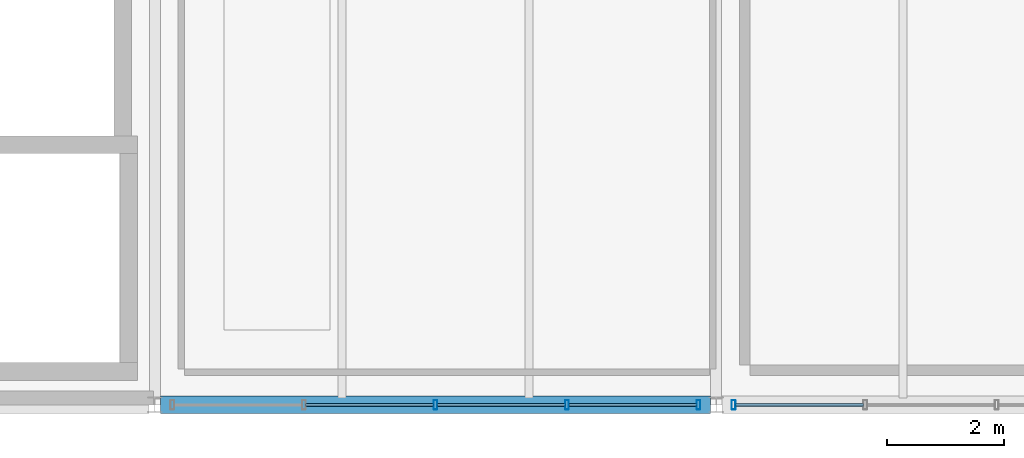
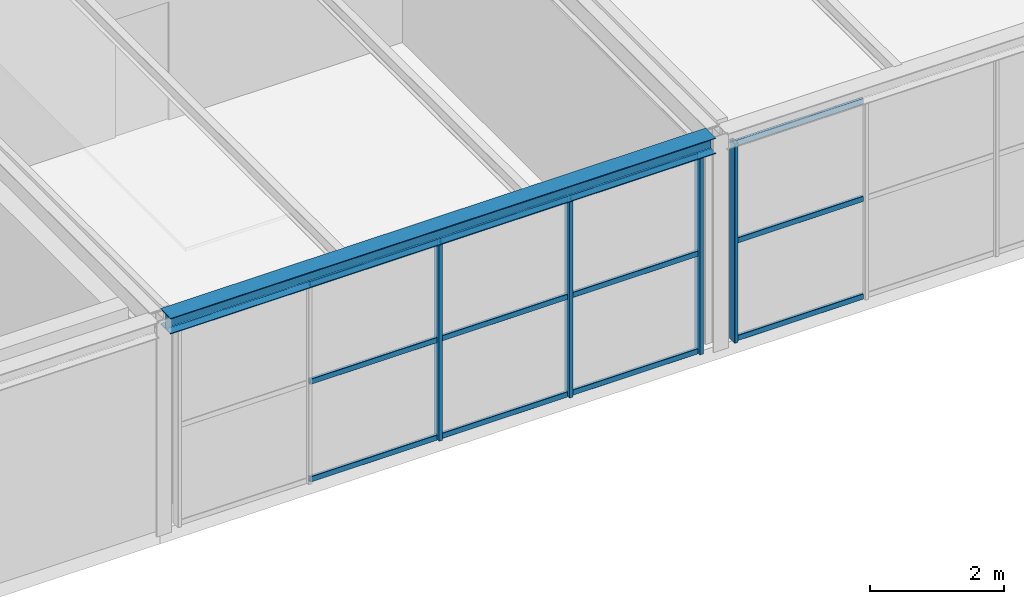
# One storey, part 18 of 33: 16 members, 1 beam, 2 elements without a shape of their own.
"""IFC4 building model written with IfcOpenShell, lengths in metres."""

import ifcopenshell
import ifcopenshell.guid

model = None  # the IFC model being written
_history = None  # IfcOwnerHistory: only IFC2X3 demands one
_inside = {}  # id of a spatial element -> (the spatial element, [elements in it])
_under = {}  # id of a project, library or spatial element -> (it, [spatial elements below it])
_declared = {}  # id of a project -> (the project, [libraries it declares])
_typed = {}  # id of a type object -> (the type object, [elements of that type])
_made_of = {}  # id of a material, layer set ... -> (it, [elements and type objects made of it])


def new_model(schema):
    """Start an empty IFC model of exactly this schema.

    Asked for "IFC4X3", IfcOpenShell would pick the latest addendum, in which some entities
    have other attributes; the version numbers below select the first issue.
    IFC2X3 requires an IfcOwnerHistory on every rooted entity: one is made here for all.
    """
    global model, _history
    if schema == "IFC4X3":
        model = ifcopenshell.file(schema_version=(4, 3, 0, 0))
    else:
        model = ifcopenshell.file(schema=schema)
    _inside.clear()
    _under.clear()
    _declared.clear()
    _typed.clear()
    _made_of.clear()
    _history = None
    if model.schema == "IFC2X3":
        org = make("IfcOrganization", Name="unknown")
        user = make(
            "IfcPersonAndOrganization",
            ThePerson=make("IfcPerson", FamilyName="unknown"),
            TheOrganization=org,
        )
        app = make(
            "IfcApplication",
            ApplicationDeveloper=org,
            Version="unknown",
            ApplicationFullName="unknown",
            ApplicationIdentifier="unknown",
        )
        _history = make(
            "IfcOwnerHistory",
            OwningUser=user,
            OwningApplication=app,
            ChangeAction="ADDED",
            CreationDate=0,
        )
    return model


def make(cls, **values):
    """One entity of the class cls with the attributes given. An attribute that is None is left unset."""
    return model.create_entity(
        cls, **{name: value for name, value in values.items() if value is not None}
    )


def rooted(cls, **values):
    """An entity with a GlobalId (a new one), such as an element, a storey or a relation."""
    return make(cls, GlobalId=ifcopenshell.guid.new(), OwnerHistory=_history, **values)


def si_unit(unit_type, name, prefix=None):
    """IfcSIUnit, for example si_unit("LENGTHUNIT", "METRE", prefix="MILLI")."""
    return make("IfcSIUnit", UnitType=unit_type, Prefix=prefix, Name=name)


def assignment(units):
    """IfcUnitAssignment: the units of a project."""
    return None if units is None else make("IfcUnitAssignment", Units=units)


def point(xyz):
    """IfcCartesianPoint."""
    return None if xyz is None else make("IfcCartesianPoint", Coordinates=xyz)


def direction(xyz):
    """IfcDirection."""
    return None if xyz is None else make("IfcDirection", DirectionRatios=xyz)


def frame(location, z_axis=None, x_axis=None):
    """IfcAxis2Placement3D, a coordinate frame: its origin and axes. An axis left out is left unset."""
    return make(
        "IfcAxis2Placement3D",
        Location=point(location),
        Axis=direction(z_axis),
        RefDirection=direction(x_axis),
    )


def frame_2d(location, x_axis=None):
    """IfcAxis2Placement2D, a coordinate frame in the plane: its origin and x axis."""
    return make(
        "IfcAxis2Placement2D", Location=point(location), RefDirection=direction(x_axis)
    )


def origin():
    """The frame at (0, 0, 0) with its axes left unset."""
    return frame((0.0, 0.0, 0.0))


def origin_2d():
    """The frame at (0, 0) in the plane with its x axis left unset."""
    return frame_2d((0.0, 0.0))


def place(relative_to, where):
    """IfcLocalPlacement: puts the frame where relative to a parent placement (None: the world)."""
    return make(
        "IfcLocalPlacement", PlacementRelTo=relative_to, RelativePlacement=where
    )


def context(
    kind, dimensions, precision=None, world=None, true_north=None, identifier=None
):
    """IfcGeometricRepresentationContext, for example the 3D "Model" context."""
    return make(
        "IfcGeometricRepresentationContext",
        ContextIdentifier=identifier,
        ContextType=kind,
        CoordinateSpaceDimension=dimensions,
        Precision=precision,
        WorldCoordinateSystem=world,
        TrueNorth=true_north,
    )


def subcontext(parent, identifier, kind, view, scale=None):
    """IfcGeometricRepresentationSubContext, for example "Body" below "Model"."""
    return make(
        "IfcGeometricRepresentationSubContext",
        ContextIdentifier=identifier,
        ContextType=kind,
        ParentContext=parent,
        TargetScale=scale,
        TargetView=view,
    )


def project(units=None, contexts=None):
    """IfcProject with its units and contexts."""
    return rooted(
        "IfcProject",
        Name="project",
        RepresentationContexts=contexts,
        UnitsInContext=assignment(units),
    )


def spatial(cls, under=None, at=None, **own):
    """A site, building, storey or space (cls), placed at a placement, below another one or the project."""
    s = rooted(cls, ObjectPlacement=at, **own)
    if under is not None:
        _under.setdefault(under.id(), (under, []))[1].append(s)
    return s


def profile(cls, at=None, kind="AREA", **sizes):
    """A parametric profile (cls). Its sizes go by their IFC names, for example OverallWidth=200.0."""
    return make(cls, ProfileType=kind, Position=at, **sizes)


def hollow_rectangle(**sizes):
    """IfcRectangleHollowProfileDef."""
    return profile("IfcRectangleHollowProfileDef", **sizes)


def i_section(**sizes):
    """IfcIShapeProfileDef."""
    return profile("IfcIShapeProfileDef", **sizes)


def extrude(swept, where, along, depth):
    """IfcExtrudedAreaSolid: the profile swept, set in the frame where, extruded along a direction by depth."""
    return make(
        "IfcExtrudedAreaSolid",
        SweptArea=swept,
        Position=where,
        ExtrudedDirection=direction(along),
        Depth=depth,
    )


def shape(context_of_items, identifier, shape_type, items):
    """IfcShapeRepresentation: the items that make up one representation, for example the "Body"."""
    return make(
        "IfcShapeRepresentation",
        ContextOfItems=context_of_items,
        RepresentationIdentifier=identifier,
        RepresentationType=shape_type,
        Items=items,
    )


def material(Name=None, Category=None):
    """IfcMaterial."""
    return make("IfcMaterial", Name=Name, Category=Category)


def material_profile(
    of_material, cross_section, Name=None, Category=None, Priority=None
):
    """IfcMaterialProfile: a cross section and its material."""
    return make(
        "IfcMaterialProfile",
        Name=Name,
        Material=of_material,
        Profile=cross_section,
        Priority=Priority,
        Category=Category,
    )


def profile_set(profiles, Name=None, composite=None):
    """IfcMaterialProfileSet."""
    return make(
        "IfcMaterialProfileSet",
        Name=Name,
        MaterialProfiles=profiles,
        CompositeProfile=composite,
    )


def made_of(thing, what):
    """Note that an element or type object is made of a material, layer set ...; save() writes the relation."""
    if what is not None:
        _made_of.setdefault(what.id(), (what, []))[1].append(thing)
    return thing


def type_object(cls, material=None, **own):
    """A type object (cls), such as IfcWallType, which elements share."""
    return made_of(rooted(cls, **own), material)


def element(
    cls,
    number,
    at=None,
    inside=None,
    cuts=None,
    type_object=None,
    material=None,
    context=None,
    identifier="Body",
    shape_type=None,
    held_by="IfcProductDefinitionShape",
    body=None,
    shapes=None,
    **own,
):
    """One element of the class cls, such as IfcWall. Its Tag is "e" and its number.

    at: its placement. inside: the storey or other place that contains it. cuts: it is an
    opening in that element (IfcRelVoidsElement). A single representation is given by context,
    identifier, shape_type and body (its items); several are given by shapes. held_by: the class
    of the entity that holds the representations. save() writes the other relations.
    """
    e = rooted(cls, Tag="e%d" % number, ObjectPlacement=at, **own)
    if body is not None:
        shapes = [shape(context, identifier, shape_type, body)]
    if shapes is not None:
        e.Representation = make(held_by, Representations=shapes)
    if inside is not None:
        _inside.setdefault(inside.id(), (inside, []))[1].append(e)
    if cuts is not None:
        rooted(
            "IfcRelVoidsElement", RelatingBuildingElement=cuts, RelatedOpeningElement=e
        )
    if type_object is not None:
        _typed.setdefault(type_object.id(), (type_object, []))[1].append(e)
    return made_of(e, material)


def aggregate(whole, parts):
    """IfcRelAggregates: a whole, such as a stair, and the parts it consists of."""
    return rooted("IfcRelAggregates", RelatingObject=whole, RelatedObjects=parts)


def save(model, path):
    """Write the relations noted so far, then the file.

    IfcRelAggregates (storeys below a building ...), IfcRelContainedInSpatialStructure (elements
    in a storey), IfcRelDefinesByType, IfcRelAssociatesMaterial and IfcRelDeclares: one each for
    every whole, place, type object, material and project.
    """
    for whole, parts in _under.values():
        aggregate(whole, parts)
    for where, things in _inside.values():
        rooted(
            "IfcRelContainedInSpatialStructure",
            RelatedElements=things,
            RelatingStructure=where,
        )
    for kind, things in _typed.values():
        rooted("IfcRelDefinesByType", RelatedObjects=things, RelatingType=kind)
    for what, things in _made_of.values():
        rooted("IfcRelAssociatesMaterial", RelatedObjects=things, RelatingMaterial=what)
    for by, libraries in _declared.values():
        rooted("IfcRelDeclares", RelatingContext=by, RelatedDefinitions=libraries)
    model.write(path)


model = new_model("IFC4")

# Units and contexts
model_context = context("Model", 3, precision=1e-05, world=origin(), true_north=direction((0.0, 1.0)))
body_context = subcontext(model_context, "Body", "Model", "MODEL_VIEW")
ifc_project = project(units=[si_unit("LENGTHUNIT", "METRE"), si_unit("AREAUNIT", "SQUARE_METRE"), si_unit("VOLUMEUNIT", "CUBIC_METRE"), si_unit("PLANEANGLEUNIT", "RADIAN"), si_unit("MASSUNIT", "GRAM", prefix="KILO")], contexts=[model_context])

# Site, building, storey
site_placement = place(None, origin())
site = spatial("IfcSite", under=ifc_project, at=site_placement, CompositionType="ELEMENT")
building_placement = place(site_placement, origin())
building = spatial("IfcBuilding", under=site, at=building_placement, Name="Coralgate Yard Interchange", CompositionType="ELEMENT")
storey_placement = place(building_placement, frame((0.0, 0.0, 23.10009765625)))
storey = spatial("IfcBuildingStorey", under=building, at=storey_placement, Name="L05", CompositionType="ELEMENT", Elevation=23.10009765625)

# Beam
ifc_material_1 = material(Name="Structural steel S355J2", Category="steel")
ifc_material_profile_1 = material_profile(ifc_material_1, i_section(OverallWidth=0.300048828125, OverallDepth=0.2900390625, WebThickness=0.008544921875, FlangeThickness=0.013916015625, FilletRadius=0.027099609375, at=origin_2d()), Name="HEA 300")
ifc_profile_set_1 = profile_set([ifc_material_profile_1], Name="Structural steel S355J2")
beam_type = type_object("IfcBeamType", Name="BM-SP-2", PredefinedType="SPANDREL", material=ifc_profile_set_1)
beam_placement = place(storey_placement, frame((28.898193359375, 0.0, 3.77490234375), z_axis=(1.0, 0.0, 0.0), x_axis=(0.0, 1.0, 0.0)))
element("IfcBeam", 1, at=beam_placement, inside=storey, type_object=beam_type, Name="L05 primary grid beam Y0 X3-4", PredefinedType="SPANDREL", context=body_context, shape_type="SweptSolid", body=[
    extrude(i_section(OverallWidth=0.300048828125, OverallDepth=0.2900390625, WebThickness=0.008544921875, FlangeThickness=0.013916015625, FilletRadius=0.027099609375, at=origin_2d()), origin(), (0.0, 0.0, 1.0), 9.40380859375),
])

# Curtain wall, members
ifc_material_2 = material(Name="Anodised coastal aluminium and solar-control low-E glass", Category="aluminium")
curtain_wall_type = type_object("IfcCurtainWallType", Name="CW-CW-L05-A", PredefinedType="NOTDEFINED", material=ifc_material_2)
curtain_wall_1_placement = place(storey_placement, origin())
curtain_wall_1 = element("IfcCurtainWall", 2, at=curtain_wall_1_placement, inside=storey, type_object=curtain_wall_type, Name="L05 unitised curtain wall CW-L05-S-03-00", PredefinedType="NOTDEFINED")
ifc_material_3 = material(Name="Anodised coastal aluminium 6063-T6", Category="aluminium")
ifc_material_profile_2 = material_profile(ifc_material_3, hollow_rectangle(XDim=0.06494140625, YDim=0.159912109375, WallThickness=0.00390625, InnerFilletRadius=0.00390625, OuterFilletRadius=0.008056640625, at=origin_2d()), Name="ALU 65x160x4")
ifc_profile_set_2 = profile_set([ifc_material_profile_2], Name="Anodised coastal aluminium 6063-T6")
member_type_1 = type_object("IfcMemberType", Name="MB-MUL-160", PredefinedType="MULLION", material=ifc_profile_set_2)
member_1_placement = place(storey_placement, frame((38.10009765625, 0.0, 0.0), z_axis=(0.0, 0.0, 1.0), x_axis=(1.0, 0.0, 0.0)))
member_1 = element("IfcMember", 3, at=member_1_placement, type_object=member_type_1, Name="CW-L05-S-03-00 vertical mullion 1", PredefinedType="MULLION", context=body_context, shape_type="SweptSolid", body=[
    extrude(hollow_rectangle(XDim=0.06494140625, YDim=0.159912109375, WallThickness=0.00390625, InnerFilletRadius=0.00390625, OuterFilletRadius=0.008056640625, at=origin_2d()), origin(), (0.0, 0.0, 1.0), 3.6298828125),
])
member_2_placement = place(storey_placement, frame((35.85009765625, 0.0, 0.0), z_axis=(0.0, 0.0, 1.0), x_axis=(1.0, 0.0, 0.0)))
member_2 = element("IfcMember", 4, at=member_2_placement, type_object=member_type_1, Name="CW-L05-S-03-00 vertical mullion 2", PredefinedType="MULLION", context=body_context, shape_type="SweptSolid", body=[
    extrude(hollow_rectangle(XDim=0.06494140625, YDim=0.159912109375, WallThickness=0.00390625, InnerFilletRadius=0.00390625, OuterFilletRadius=0.008056640625, at=origin_2d()), origin(), (0.0, 0.0, 1.0), 3.6298828125),
])
member_3_placement = place(storey_placement, frame((33.60009765625, 0.0, 0.0), z_axis=(0.0, 0.0, 1.0), x_axis=(1.0, 0.0, 0.0)))
member_3 = element("IfcMember", 5, at=member_3_placement, type_object=member_type_1, Name="CW-L05-S-03-00 vertical mullion 3", PredefinedType="MULLION", context=body_context, shape_type="SweptSolid", body=[
    extrude(hollow_rectangle(XDim=0.06494140625, YDim=0.159912109375, WallThickness=0.00390625, InnerFilletRadius=0.00390625, OuterFilletRadius=0.008056640625, at=origin_2d()), origin(), (0.0, 0.0, 1.0), 3.6298828125),
])

# Curtain wall, member
curtain_wall_2_placement = place(storey_placement, origin())
curtain_wall_2 = element("IfcCurtainWall", 6, at=curtain_wall_2_placement, inside=storey, type_object=curtain_wall_type, Name="L05 unitised curtain wall CW-L05-S-04-00", PredefinedType="NOTDEFINED")
member_4_placement = place(storey_placement, frame((38.699951171875, 0.0, 0.0), z_axis=(0.0, 0.0, 1.0), x_axis=(1.0, 0.0, 0.0)))
member_4 = element("IfcMember", 7, at=member_4_placement, type_object=member_type_1, Name="CW-L05-S-04-00 vertical mullion 5", PredefinedType="MULLION", context=body_context, shape_type="SweptSolid", body=[
    extrude(hollow_rectangle(XDim=0.06494140625, YDim=0.159912109375, WallThickness=0.00390625, InnerFilletRadius=0.00390625, OuterFilletRadius=0.008056640625, at=origin_2d()), origin(), (0.0, 0.0, 1.0), 3.6298828125),
])

# Member
ifc_material_profile_3 = material_profile(ifc_material_3, hollow_rectangle(XDim=0.050048828125, YDim=0.10009765625, WallThickness=0.0029296875, InnerFilletRadius=0.0029296875, OuterFilletRadius=0.006103515625, at=origin_2d()), Name="ALU 50x100x3")
ifc_profile_set_3 = profile_set([ifc_material_profile_3], Name="Anodised coastal aluminium 6063-T6")
member_type_2 = type_object("IfcMemberType", Name="MB-TRN-100", PredefinedType="USERDEFINED", material=ifc_profile_set_3)
member_5_placement = place(storey_placement, frame((38.070068359375, 0.0, 0.034912109375), z_axis=(-1.0, 0.0, 0.0), x_axis=(0.0, -1.0, 0.0)))
member_5 = element("IfcMember", 8, at=member_5_placement, type_object=member_type_2, Name="CW-L05-S-03-00 horizontal transom 1-1", ObjectType="TRANSOM", PredefinedType="USERDEFINED", context=body_context, shape_type="SweptSolid", body=[
    extrude(hollow_rectangle(XDim=0.050048828125, YDim=0.10009765625, WallThickness=0.0029296875, InnerFilletRadius=0.0029296875, OuterFilletRadius=0.006103515625, at=origin_2d()), origin(), (0.0, 0.0, 1.0), 2.190185546875),
])

member_6_placement = place(storey_placement, frame((38.070068359375, 0.0, 1.81494140625), z_axis=(-1.0, 0.0, 0.0), x_axis=(0.0, -1.0, 0.0)))
member_6 = element("IfcMember", 9, at=member_6_placement, type_object=member_type_2, Name="CW-L05-S-03-00 horizontal transom 1-2", ObjectType="TRANSOM", PredefinedType="USERDEFINED", context=body_context, shape_type="SweptSolid", body=[
    extrude(hollow_rectangle(XDim=0.050048828125, YDim=0.10009765625, WallThickness=0.0029296875, InnerFilletRadius=0.0029296875, OuterFilletRadius=0.006103515625, at=origin_2d()), origin(), (0.0, 0.0, 1.0), 2.190185546875),
])

member_7_placement = place(storey_placement, frame((38.070068359375, 0.0, 3.594970703125), z_axis=(-1.0, 0.0, 0.0), x_axis=(0.0, -1.0, 0.0)))
member_7 = element("IfcMember", 10, at=member_7_placement, type_object=member_type_2, Name="CW-L05-S-03-00 horizontal transom 1-3", ObjectType="TRANSOM", PredefinedType="USERDEFINED", context=body_context, shape_type="SweptSolid", body=[
    extrude(hollow_rectangle(XDim=0.050048828125, YDim=0.10009765625, WallThickness=0.0029296875, InnerFilletRadius=0.0029296875, OuterFilletRadius=0.006103515625, at=origin_2d()), origin(), (0.0, 0.0, 1.0), 2.190185546875),
])

member_8_placement = place(storey_placement, frame((35.820068359375, 0.0, 0.034912109375), z_axis=(-1.0, 0.0, 0.0), x_axis=(0.0, -1.0, 0.0)))
member_8 = element("IfcMember", 11, at=member_8_placement, type_object=member_type_2, Name="CW-L05-S-03-00 horizontal transom 2-1", ObjectType="TRANSOM", PredefinedType="USERDEFINED", context=body_context, shape_type="SweptSolid", body=[
    extrude(hollow_rectangle(XDim=0.050048828125, YDim=0.10009765625, WallThickness=0.0029296875, InnerFilletRadius=0.0029296875, OuterFilletRadius=0.006103515625, at=origin_2d()), origin(), (0.0, 0.0, 1.0), 2.190185546875),
])

member_9_placement = place(storey_placement, frame((35.820068359375, 0.0, 1.81494140625), z_axis=(-1.0, 0.0, 0.0), x_axis=(0.0, -1.0, 0.0)))
member_9 = element("IfcMember", 12, at=member_9_placement, type_object=member_type_2, Name="CW-L05-S-03-00 horizontal transom 2-2", ObjectType="TRANSOM", PredefinedType="USERDEFINED", context=body_context, shape_type="SweptSolid", body=[
    extrude(hollow_rectangle(XDim=0.050048828125, YDim=0.10009765625, WallThickness=0.0029296875, InnerFilletRadius=0.0029296875, OuterFilletRadius=0.006103515625, at=origin_2d()), origin(), (0.0, 0.0, 1.0), 2.190185546875),
])

member_10_placement = place(storey_placement, frame((35.820068359375, 0.0, 3.594970703125), z_axis=(-1.0, 0.0, 0.0), x_axis=(0.0, -1.0, 0.0)))
member_10 = element("IfcMember", 13, at=member_10_placement, type_object=member_type_2, Name="CW-L05-S-03-00 horizontal transom 2-3", ObjectType="TRANSOM", PredefinedType="USERDEFINED", context=body_context, shape_type="SweptSolid", body=[
    extrude(hollow_rectangle(XDim=0.050048828125, YDim=0.10009765625, WallThickness=0.0029296875, InnerFilletRadius=0.0029296875, OuterFilletRadius=0.006103515625, at=origin_2d()), origin(), (0.0, 0.0, 1.0), 2.190185546875),
])

member_11_placement = place(storey_placement, frame((33.570068359375, 0.0, 0.034912109375), z_axis=(-1.0, 0.0, 0.0), x_axis=(0.0, -1.0, 0.0)))
member_11 = element("IfcMember", 14, at=member_11_placement, type_object=member_type_2, Name="CW-L05-S-03-00 horizontal transom 3-1", ObjectType="TRANSOM", PredefinedType="USERDEFINED", context=body_context, shape_type="SweptSolid", body=[
    extrude(hollow_rectangle(XDim=0.050048828125, YDim=0.10009765625, WallThickness=0.0029296875, InnerFilletRadius=0.0029296875, OuterFilletRadius=0.006103515625, at=origin_2d()), origin(), (0.0, 0.0, 1.0), 2.190185546875),
])

member_12_placement = place(storey_placement, frame((33.570068359375, 0.0, 1.81494140625), z_axis=(-1.0, 0.0, 0.0), x_axis=(0.0, -1.0, 0.0)))
member_12 = element("IfcMember", 15, at=member_12_placement, type_object=member_type_2, Name="CW-L05-S-03-00 horizontal transom 3-2", ObjectType="TRANSOM", PredefinedType="USERDEFINED", context=body_context, shape_type="SweptSolid", body=[
    extrude(hollow_rectangle(XDim=0.050048828125, YDim=0.10009765625, WallThickness=0.0029296875, InnerFilletRadius=0.0029296875, OuterFilletRadius=0.006103515625, at=origin_2d()), origin(), (0.0, 0.0, 1.0), 2.190185546875),
])

member_13_placement = place(storey_placement, frame((33.570068359375, 0.0, 3.594970703125), z_axis=(-1.0, 0.0, 0.0), x_axis=(0.0, -1.0, 0.0)))
member_13 = element("IfcMember", 16, at=member_13_placement, type_object=member_type_2, Name="CW-L05-S-03-00 horizontal transom 3-3", ObjectType="TRANSOM", PredefinedType="USERDEFINED", context=body_context, shape_type="SweptSolid", body=[
    extrude(hollow_rectangle(XDim=0.050048828125, YDim=0.10009765625, WallThickness=0.0029296875, InnerFilletRadius=0.0029296875, OuterFilletRadius=0.006103515625, at=origin_2d()), origin(), (0.0, 0.0, 1.0), 2.190185546875),
])

aggregate(curtain_wall_1, [member_1, member_2, member_3, member_5, member_6, member_7, member_8, member_9, member_10, member_11, member_12, member_13])

member_14_placement = place(storey_placement, frame((40.919921875, 0.0, 0.034912109375), z_axis=(-1.0, 0.0, 0.0), x_axis=(0.0, -1.0, 0.0)))
member_14 = element("IfcMember", 17, at=member_14_placement, type_object=member_type_2, Name="CW-L05-S-04-00 horizontal transom 4-1", ObjectType="TRANSOM", PredefinedType="USERDEFINED", context=body_context, shape_type="SweptSolid", body=[
    extrude(hollow_rectangle(XDim=0.050048828125, YDim=0.10009765625, WallThickness=0.0029296875, InnerFilletRadius=0.0029296875, OuterFilletRadius=0.006103515625, at=origin_2d()), origin(), (0.0, 0.0, 1.0), 2.18994140625),
])

member_15_placement = place(storey_placement, frame((40.919921875, 0.0, 1.81494140625), z_axis=(-1.0, 0.0, 0.0), x_axis=(0.0, -1.0, 0.0)))
member_15 = element("IfcMember", 18, at=member_15_placement, type_object=member_type_2, Name="CW-L05-S-04-00 horizontal transom 4-2", ObjectType="TRANSOM", PredefinedType="USERDEFINED", context=body_context, shape_type="SweptSolid", body=[
    extrude(hollow_rectangle(XDim=0.050048828125, YDim=0.10009765625, WallThickness=0.0029296875, InnerFilletRadius=0.0029296875, OuterFilletRadius=0.006103515625, at=origin_2d()), origin(), (0.0, 0.0, 1.0), 2.18994140625),
])

member_16_placement = place(storey_placement, frame((40.919921875, 0.0, 3.594970703125), z_axis=(-1.0, 0.0, 0.0), x_axis=(0.0, -1.0, 0.0)))
member_16 = element("IfcMember", 19, at=member_16_placement, type_object=member_type_2, Name="CW-L05-S-04-00 horizontal transom 4-3", ObjectType="TRANSOM", PredefinedType="USERDEFINED", context=body_context, shape_type="SweptSolid", body=[
    extrude(hollow_rectangle(XDim=0.050048828125, YDim=0.10009765625, WallThickness=0.0029296875, InnerFilletRadius=0.0029296875, OuterFilletRadius=0.006103515625, at=origin_2d()), origin(), (0.0, 0.0, 1.0), 2.18994140625),
])

aggregate(curtain_wall_2, [member_4, member_14, member_15, member_16])

save(model, "model.ifc")
